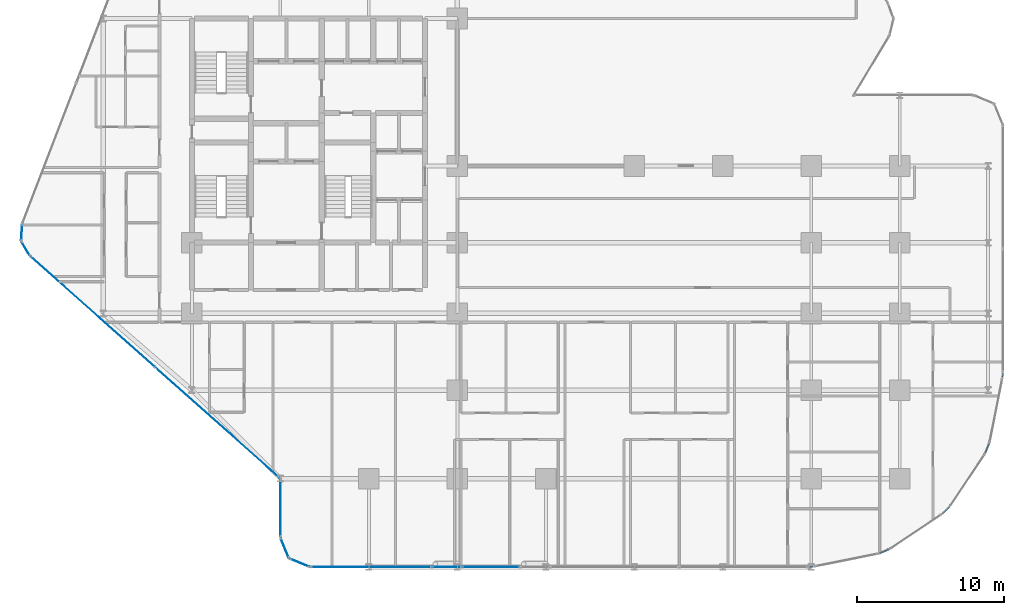
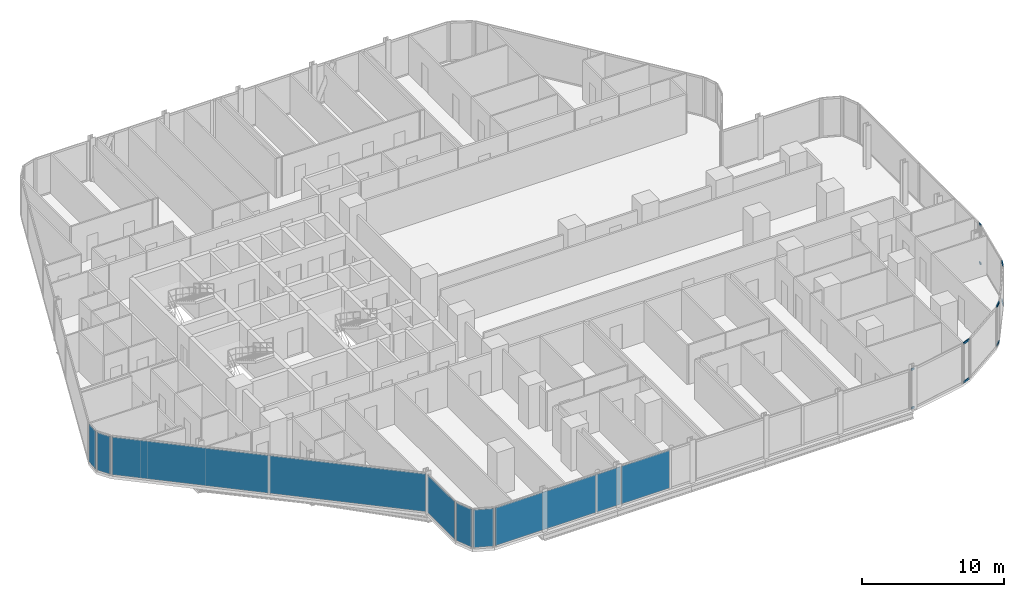
# One storey, part 20 of 33: 10 members, 10 plates, 14 elements without a shape of their own.
"""IFC4 building model written with IfcOpenShell, lengths in metres."""

import ifcopenshell
import ifcopenshell.guid

model = None  # the IFC model being written
_history = None  # IfcOwnerHistory: only IFC2X3 demands one
_inside = {}  # id of a spatial element -> (the spatial element, [elements in it])
_under = {}  # id of a project, library or spatial element -> (it, [spatial elements below it])
_declared = {}  # id of a project -> (the project, [libraries it declares])
_typed = {}  # id of a type object -> (the type object, [elements of that type])
_made_of = {}  # id of a material, layer set ... -> (it, [elements and type objects made of it])


def new_model(schema):
    """Start an empty IFC model of exactly this schema.

    Asked for "IFC4X3", IfcOpenShell would pick the latest addendum, in which some entities
    have other attributes; the version numbers below select the first issue.
    IFC2X3 requires an IfcOwnerHistory on every rooted entity: one is made here for all.
    """
    global model, _history
    if schema == "IFC4X3":
        model = ifcopenshell.file(schema_version=(4, 3, 0, 0))
    else:
        model = ifcopenshell.file(schema=schema)
    _inside.clear()
    _under.clear()
    _declared.clear()
    _typed.clear()
    _made_of.clear()
    _history = None
    if model.schema == "IFC2X3":
        org = make("IfcOrganization", Name="unknown")
        user = make(
            "IfcPersonAndOrganization",
            ThePerson=make("IfcPerson", FamilyName="unknown"),
            TheOrganization=org,
        )
        app = make(
            "IfcApplication",
            ApplicationDeveloper=org,
            Version="unknown",
            ApplicationFullName="unknown",
            ApplicationIdentifier="unknown",
        )
        _history = make(
            "IfcOwnerHistory",
            OwningUser=user,
            OwningApplication=app,
            ChangeAction="ADDED",
            CreationDate=0,
        )
    return model


def make(cls, **values):
    """One entity of the class cls with the attributes given. An attribute that is None is left unset."""
    return model.create_entity(
        cls, **{name: value for name, value in values.items() if value is not None}
    )


def rooted(cls, **values):
    """An entity with a GlobalId (a new one), such as an element, a storey or a relation."""
    return make(cls, GlobalId=ifcopenshell.guid.new(), OwnerHistory=_history, **values)


def si_unit(unit_type, name, prefix=None):
    """IfcSIUnit, for example si_unit("LENGTHUNIT", "METRE", prefix="MILLI")."""
    return make("IfcSIUnit", UnitType=unit_type, Prefix=prefix, Name=name)


def assignment(units):
    """IfcUnitAssignment: the units of a project."""
    return None if units is None else make("IfcUnitAssignment", Units=units)


def point(xyz):
    """IfcCartesianPoint."""
    return None if xyz is None else make("IfcCartesianPoint", Coordinates=xyz)


def direction(xyz):
    """IfcDirection."""
    return None if xyz is None else make("IfcDirection", DirectionRatios=xyz)


def frame(location, z_axis=None, x_axis=None):
    """IfcAxis2Placement3D, a coordinate frame: its origin and axes. An axis left out is left unset."""
    return make(
        "IfcAxis2Placement3D",
        Location=point(location),
        Axis=direction(z_axis),
        RefDirection=direction(x_axis),
    )


def frame_2d(location, x_axis=None):
    """IfcAxis2Placement2D, a coordinate frame in the plane: its origin and x axis."""
    return make(
        "IfcAxis2Placement2D", Location=point(location), RefDirection=direction(x_axis)
    )


def origin():
    """The frame at (0, 0, 0) with its axes left unset."""
    return frame((0.0, 0.0, 0.0))


def origin_2d():
    """The frame at (0, 0) in the plane with its x axis left unset."""
    return frame_2d((0.0, 0.0))


def place(relative_to, where):
    """IfcLocalPlacement: puts the frame where relative to a parent placement (None: the world)."""
    return make(
        "IfcLocalPlacement", PlacementRelTo=relative_to, RelativePlacement=where
    )


def context(
    kind, dimensions, precision=None, world=None, true_north=None, identifier=None
):
    """IfcGeometricRepresentationContext, for example the 3D "Model" context."""
    return make(
        "IfcGeometricRepresentationContext",
        ContextIdentifier=identifier,
        ContextType=kind,
        CoordinateSpaceDimension=dimensions,
        Precision=precision,
        WorldCoordinateSystem=world,
        TrueNorth=true_north,
    )


def subcontext(parent, identifier, kind, view, scale=None):
    """IfcGeometricRepresentationSubContext, for example "Body" below "Model"."""
    return make(
        "IfcGeometricRepresentationSubContext",
        ContextIdentifier=identifier,
        ContextType=kind,
        ParentContext=parent,
        TargetScale=scale,
        TargetView=view,
    )


def project(units=None, contexts=None):
    """IfcProject with its units and contexts."""
    return rooted(
        "IfcProject",
        Name="project",
        RepresentationContexts=contexts,
        UnitsInContext=assignment(units),
    )


def spatial(cls, under=None, at=None, **own):
    """A site, building, storey or space (cls), placed at a placement, below another one or the project."""
    s = rooted(cls, ObjectPlacement=at, **own)
    if under is not None:
        _under.setdefault(under.id(), (under, []))[1].append(s)
    return s


def profile(cls, at=None, kind="AREA", **sizes):
    """A parametric profile (cls). Its sizes go by their IFC names, for example OverallWidth=200.0."""
    return make(cls, ProfileType=kind, Position=at, **sizes)


def rectangle(**sizes):
    """IfcRectangleProfileDef."""
    return profile("IfcRectangleProfileDef", **sizes)


def hollow_rectangle(**sizes):
    """IfcRectangleHollowProfileDef."""
    return profile("IfcRectangleHollowProfileDef", **sizes)


def extrude(swept, where, along, depth):
    """IfcExtrudedAreaSolid: the profile swept, set in the frame where, extruded along a direction by depth."""
    return make(
        "IfcExtrudedAreaSolid",
        SweptArea=swept,
        Position=where,
        ExtrudedDirection=direction(along),
        Depth=depth,
    )


def shape(context_of_items, identifier, shape_type, items):
    """IfcShapeRepresentation: the items that make up one representation, for example the "Body"."""
    return make(
        "IfcShapeRepresentation",
        ContextOfItems=context_of_items,
        RepresentationIdentifier=identifier,
        RepresentationType=shape_type,
        Items=items,
    )


def material(Name=None, Category=None):
    """IfcMaterial."""
    return make("IfcMaterial", Name=Name, Category=Category)


def layer(
    of_material, thickness, ventilated=None, Name=None, Category=None, Priority=None
):
    """IfcMaterialLayer: one layer of a wall or slab, of a material (None: an air gap)."""
    return make(
        "IfcMaterialLayer",
        Material=of_material,
        LayerThickness=thickness,
        IsVentilated=ventilated,
        Name=Name,
        Category=Category,
        Priority=Priority,
    )


def layer_set(layers, Name=None):
    """IfcMaterialLayerSet."""
    return make("IfcMaterialLayerSet", MaterialLayers=layers, LayerSetName=Name)


def material_profile(
    of_material, cross_section, Name=None, Category=None, Priority=None
):
    """IfcMaterialProfile: a cross section and its material."""
    return make(
        "IfcMaterialProfile",
        Name=Name,
        Material=of_material,
        Profile=cross_section,
        Priority=Priority,
        Category=Category,
    )


def profile_set(profiles, Name=None, composite=None):
    """IfcMaterialProfileSet."""
    return make(
        "IfcMaterialProfileSet",
        Name=Name,
        MaterialProfiles=profiles,
        CompositeProfile=composite,
    )


def made_of(thing, what):
    """Note that an element or type object is made of a material, layer set ...; save() writes the relation."""
    if what is not None:
        _made_of.setdefault(what.id(), (what, []))[1].append(thing)
    return thing


def type_object(cls, material=None, **own):
    """A type object (cls), such as IfcWallType, which elements share."""
    return made_of(rooted(cls, **own), material)


def element(
    cls,
    number,
    at=None,
    inside=None,
    cuts=None,
    type_object=None,
    material=None,
    context=None,
    identifier="Body",
    shape_type=None,
    held_by="IfcProductDefinitionShape",
    body=None,
    shapes=None,
    **own,
):
    """One element of the class cls, such as IfcWall. Its Tag is "e" and its number.

    at: its placement. inside: the storey or other place that contains it. cuts: it is an
    opening in that element (IfcRelVoidsElement). A single representation is given by context,
    identifier, shape_type and body (its items); several are given by shapes. held_by: the class
    of the entity that holds the representations. save() writes the other relations.
    """
    e = rooted(cls, Tag="e%d" % number, ObjectPlacement=at, **own)
    if body is not None:
        shapes = [shape(context, identifier, shape_type, body)]
    if shapes is not None:
        e.Representation = make(held_by, Representations=shapes)
    if inside is not None:
        _inside.setdefault(inside.id(), (inside, []))[1].append(e)
    if cuts is not None:
        rooted(
            "IfcRelVoidsElement", RelatingBuildingElement=cuts, RelatedOpeningElement=e
        )
    if type_object is not None:
        _typed.setdefault(type_object.id(), (type_object, []))[1].append(e)
    return made_of(e, material)


def aggregate(whole, parts):
    """IfcRelAggregates: a whole, such as a stair, and the parts it consists of."""
    return rooted("IfcRelAggregates", RelatingObject=whole, RelatedObjects=parts)


def save(model, path):
    """Write the relations noted so far, then the file.

    IfcRelAggregates (storeys below a building ...), IfcRelContainedInSpatialStructure (elements
    in a storey), IfcRelDefinesByType, IfcRelAssociatesMaterial and IfcRelDeclares: one each for
    every whole, place, type object, material and project.
    """
    for whole, parts in _under.values():
        aggregate(whole, parts)
    for where, things in _inside.values():
        rooted(
            "IfcRelContainedInSpatialStructure",
            RelatedElements=things,
            RelatingStructure=where,
        )
    for kind, things in _typed.values():
        rooted("IfcRelDefinesByType", RelatedObjects=things, RelatingType=kind)
    for what, things in _made_of.values():
        rooted("IfcRelAssociatesMaterial", RelatedObjects=things, RelatingMaterial=what)
    for by, libraries in _declared.values():
        rooted("IfcRelDeclares", RelatingContext=by, RelatedDefinitions=libraries)
    model.write(path)


model = new_model("IFC4")

# Units and contexts
model_context = context("Model", 3, precision=1e-05, world=origin(), true_north=direction((0.0, 1.0)))
body_context = subcontext(model_context, "Body", "Model", "MODEL_VIEW")
ifc_project = project(units=[si_unit("LENGTHUNIT", "METRE"), si_unit("AREAUNIT", "SQUARE_METRE"), si_unit("VOLUMEUNIT", "CUBIC_METRE"), si_unit("PLANEANGLEUNIT", "RADIAN"), si_unit("MASSUNIT", "GRAM", prefix="KILO")], contexts=[model_context])

# Site, building, storey
site_placement = place(None, origin())
site = spatial("IfcSite", under=ifc_project, at=site_placement, CompositionType="ELEMENT")
building_placement = place(site_placement, origin())
building = spatial("IfcBuilding", under=site, at=building_placement, Name="Keshet Zoharim Tower", CompositionType="ELEMENT")
storey_placement = place(building_placement, frame((0.0, 0.0, 49.89990234375)))
storey = spatial("IfcBuildingStorey", under=building, at=storey_placement, Name="L11", CompositionType="ELEMENT", Elevation=49.89990234375)

# Curtain wall, members
ifc_material_1 = material(Name="Aluminium 6063-T6", Category="aluminium")
ifc_layer_1 = layer(ifc_material_1, 0.169921875)
ifc_layer_set_1 = layer_set([ifc_layer_1], Name="Aluminium 6063-T6")
curtain_wall_type_1 = type_object("IfcCurtainWallType", Name="CW-SYS-02", PredefinedType="NOTDEFINED", material=ifc_layer_set_1)
curtain_wall_1_placement = place(storey_placement, origin())
curtain_wall_1 = element("IfcCurtainWall", 1, at=curtain_wall_1_placement, inside=storey, type_object=curtain_wall_type_1, Name="L11 Unitised Curtain Wall 17", PredefinedType="NOTDEFINED")
ifc_material_profile = material_profile(ifc_material_1, hollow_rectangle(XDim=0.0849609375, YDim=0.159912109375, WallThickness=0.00439453125, at=origin_2d()), Name="TRN-85x160")
ifc_profile_set = profile_set([ifc_material_profile], Name="Aluminium 6063-T6")
member_type = type_object("IfcMemberType", Name="CWT-T16", PredefinedType="USERDEFINED", material=ifc_profile_set)
member_1_placement = place(storey_placement, frame((69.9931640625, 13.827392578125, 0.03515625), z_axis=(-0.096912647607, -0.995292890929, 0.0), x_axis=(0.995292890929, -0.096912647607, 0.0)))
member_1 = element("IfcMember", 2, at=member_1_placement, type_object=member_type, Name="CW-02 transom 1.1", ObjectType="TRANSOM", PredefinedType="USERDEFINED", context=body_context, shape_type="SweptSolid", body=[
    extrude(hollow_rectangle(XDim=0.0849609375, YDim=0.159912109375, WallThickness=0.00439453125, at=origin_2d()), origin(), (0.0, 0.0, 1.0), 0.251953125),
])
member_2_placement = place(storey_placement, frame((69.9931640625, 13.827392578125, 3.35009765625), z_axis=(-0.096912647607, -0.995292890929, 0.0), x_axis=(0.995292890929, -0.096912647607, 0.0)))
member_2 = element("IfcMember", 3, at=member_2_placement, type_object=member_type, Name="CW-02 transom 1.2", ObjectType="TRANSOM", PredefinedType="USERDEFINED", context=body_context, shape_type="SweptSolid", body=[
    extrude(hollow_rectangle(XDim=0.0849609375, YDim=0.159912109375, WallThickness=0.00439453125, at=origin_2d()), origin(), (0.0, 0.0, 1.0), 0.251953125),
])
aggregate(curtain_wall_1, [member_1, member_2])

ifc_layer_2 = layer(ifc_material_1, 0.179931640625)
ifc_layer_set_2 = layer_set([ifc_layer_2], Name="Aluminium 6063-T6")
curtain_wall_type_2 = type_object("IfcCurtainWallType", Name="CW-SYS-01", PredefinedType="NOTDEFINED", material=ifc_layer_set_2)
curtain_wall_2_placement = place(storey_placement, origin())
curtain_wall_2 = element("IfcCurtainWall", 4, at=curtain_wall_2_placement, inside=storey, type_object=curtain_wall_type_2, Name="L11 Unitised Curtain Wall 19", PredefinedType="NOTDEFINED")
member_3_placement = place(storey_placement, frame((69.061279296875, 9.05029296875, 0.03515625), z_axis=(-0.383126096215, -0.923696050874, 0.0), x_axis=(0.923696050874, -0.383126096215, 0.0)))
member_3 = element("IfcMember", 5, at=member_3_placement, type_object=member_type, Name="CW-01 transom 1.1", ObjectType="TRANSOM", PredefinedType="USERDEFINED", context=body_context, shape_type="SweptSolid", body=[
    extrude(hollow_rectangle(XDim=0.0849609375, YDim=0.159912109375, WallThickness=0.00439453125, at=origin_2d()), origin(), (0.0, 0.0, 1.0), 0.640380859375),
])
member_4_placement = place(storey_placement, frame((69.061279296875, 9.05029296875, 3.35009765625), z_axis=(-0.383126096215, -0.923696050874, 0.0), x_axis=(0.923696050874, -0.383126096215, 0.0)))
member_4 = element("IfcMember", 6, at=member_4_placement, type_object=member_type, Name="CW-01 transom 1.2", ObjectType="TRANSOM", PredefinedType="USERDEFINED", context=body_context, shape_type="SweptSolid", body=[
    extrude(hollow_rectangle(XDim=0.0849609375, YDim=0.159912109375, WallThickness=0.00439453125, at=origin_2d()), origin(), (0.0, 0.0, 1.0), 0.640380859375),
])
aggregate(curtain_wall_2, [member_3, member_4])

curtain_wall_3_placement = place(storey_placement, origin())
curtain_wall_3 = element("IfcCurtainWall", 7, at=curtain_wall_3_placement, inside=storey, type_object=curtain_wall_type_2, Name="L11 Unitised Curtain Wall 21", PredefinedType="NOTDEFINED")
member_5_placement = place(storey_placement, frame((66.363525390625, 4.78857421875, 0.03515625), z_axis=(-0.707106781187, -0.707106781187, 0.0), x_axis=(0.707106781187, -0.707106781187, 0.0)))
member_5 = element("IfcMember", 8, at=member_5_placement, type_object=member_type, Name="CW-01 transom 1.1", ObjectType="TRANSOM", PredefinedType="USERDEFINED", context=body_context, shape_type="SweptSolid", body=[
    extrude(hollow_rectangle(XDim=0.0849609375, YDim=0.159912109375, WallThickness=0.00439453125, at=origin_2d()), origin(), (0.0, 0.0, 1.0), 0.639404296875),
])
member_6_placement = place(storey_placement, frame((66.363525390625, 4.78857421875, 3.35009765625), z_axis=(-0.707106781187, -0.707106781187, 0.0), x_axis=(0.707106781187, -0.707106781187, 0.0)))
member_6 = element("IfcMember", 9, at=member_6_placement, type_object=member_type, Name="CW-01 transom 1.2", ObjectType="TRANSOM", PredefinedType="USERDEFINED", context=body_context, shape_type="SweptSolid", body=[
    extrude(hollow_rectangle(XDim=0.0849609375, YDim=0.159912109375, WallThickness=0.00439453125, at=origin_2d()), origin(), (0.0, 0.0, 1.0), 0.639404296875),
])
aggregate(curtain_wall_3, [member_5, member_6])

curtain_wall_4_placement = place(storey_placement, origin())
curtain_wall_4 = element("IfcCurtainWall", 10, at=curtain_wall_4_placement, inside=storey, type_object=curtain_wall_type_2, Name="L11 Unitised Curtain Wall 23", PredefinedType="NOTDEFINED")
member_7_placement = place(storey_placement, frame((62.241455078125, 1.88427734375, 0.03515625), z_axis=(-0.923751978938, -0.382991228891, 0.0), x_axis=(0.382991228891, -0.923751978938, 0.0)))
member_7 = element("IfcMember", 11, at=member_7_placement, type_object=member_type, Name="CW-01 transom 1.1", ObjectType="TRANSOM", PredefinedType="USERDEFINED", context=body_context, shape_type="SweptSolid", body=[
    extrude(hollow_rectangle(XDim=0.0849609375, YDim=0.159912109375, WallThickness=0.00439453125, at=origin_2d()), origin(), (0.0, 0.0, 1.0), 0.640625),
])
member_8_placement = place(storey_placement, frame((62.241455078125, 1.88427734375, 3.35009765625), z_axis=(-0.923751978938, -0.382991228891, 0.0), x_axis=(0.382991228891, -0.923751978938, 0.0)))
member_8 = element("IfcMember", 12, at=member_8_placement, type_object=member_type, Name="CW-01 transom 1.2", ObjectType="TRANSOM", PredefinedType="USERDEFINED", context=body_context, shape_type="SweptSolid", body=[
    extrude(hollow_rectangle(XDim=0.0849609375, YDim=0.159912109375, WallThickness=0.00439453125, at=origin_2d()), origin(), (0.0, 0.0, 1.0), 0.640625),
])
aggregate(curtain_wall_4, [member_7, member_8])

curtain_wall_5_placement = place(storey_placement, origin())
curtain_wall_5 = element("IfcCurtainWall", 13, at=curtain_wall_5_placement, inside=storey, type_object=curtain_wall_type_2, Name="L11 Unitised Curtain Wall 25", PredefinedType="NOTDEFINED")
member_9_placement = place(storey_placement, frame((57.123291015625, 0.731201171875, 0.03515625), z_axis=(-0.995292890929, -0.096912647607, 0.0), x_axis=(0.096912647607, -0.995292890929, 0.0)))
member_9 = element("IfcMember", 14, at=member_9_placement, type_object=member_type, Name="CW-01 transom 1.1", ObjectType="TRANSOM", PredefinedType="USERDEFINED", context=body_context, shape_type="SweptSolid", body=[
    extrude(hollow_rectangle(XDim=0.0849609375, YDim=0.159912109375, WallThickness=0.00439453125, at=origin_2d()), origin(), (0.0, 0.0, 1.0), 0.251953125),
])
member_10_placement = place(storey_placement, frame((57.123291015625, 0.731201171875, 3.35009765625), z_axis=(-0.995292890929, -0.096912647607, 0.0), x_axis=(0.096912647607, -0.995292890929, 0.0)))
member_10 = element("IfcMember", 15, at=member_10_placement, type_object=member_type, Name="CW-01 transom 1.2", ObjectType="TRANSOM", PredefinedType="USERDEFINED", context=body_context, shape_type="SweptSolid", body=[
    extrude(hollow_rectangle(XDim=0.0849609375, YDim=0.159912109375, WallThickness=0.00439453125, at=origin_2d()), origin(), (0.0, 0.0, 1.0), 0.251953125),
])
aggregate(curtain_wall_5, [member_9, member_10])

# Curtain wall, plates
curtain_wall_6_placement = place(storey_placement, origin())
curtain_wall_6 = element("IfcCurtainWall", 16, at=curtain_wall_6_placement, inside=storey, type_object=curtain_wall_type_2, Name="L11 Unitised Curtain Wall 01", PredefinedType="NOTDEFINED")
ifc_material_2 = material(Name="Insulated Low-E Clear Glass", Category="glass")
ifc_layer_3 = layer(ifc_material_2, 0.035888671875)
ifc_layer_set_3 = layer_set([ifc_layer_3], Name="Insulated Low-E Clear Glass")
plate_type_1 = type_object("IfcPlateType", Name="CWP-01", PredefinedType="CURTAIN_PANEL", material=ifc_layer_set_3)
plate_1_placement = place(storey_placement, frame((16.74560546875, 10.481689453125, 0.070068359375), z_axis=(0.0, 0.0, 1.0), x_axis=(-0.747409318679, 0.664363838836, 0.0)))
plate_1 = element("IfcPlate", 17, at=plate_1_placement, type_object=plate_type_1, Name="CW-01 panel 1.1", PredefinedType="CURTAIN_PANEL", context=body_context, shape_type="SweptSolid", body=[
    extrude(rectangle(XDim=11.244140625, YDim=0.035888671875, at=origin_2d()), origin(), (0.0, 0.0, 1.0), 3.2451171875),
])
plate_2_placement = place(storey_placement, frame((8.289306640625, 17.998291015625, 0.070068359375), z_axis=(0.0, 0.0, 1.0), x_axis=(-0.747409318679, 0.664363838836, 0.0)))
plate_2 = element("IfcPlate", 18, at=plate_2_placement, type_object=plate_type_1, Name="CW-01 panel 2.1", PredefinedType="CURTAIN_PANEL", context=body_context, shape_type="SweptSolid", body=[
    extrude(rectangle(XDim=11.244140625, YDim=0.035888671875, at=origin_2d()), origin(), (0.0, 0.0, 1.0), 3.2451171875),
])
aggregate(curtain_wall_6, [plate_1, plate_2])

# Curtain wall, plate
curtain_wall_7_placement = place(storey_placement, origin())
curtain_wall_7 = element("IfcCurtainWall", 19, at=curtain_wall_7_placement, inside=storey, type_object=curtain_wall_type_2, Name="L11 Unitised Curtain Wall 02", PredefinedType="NOTDEFINED")
plate_3_placement = place(storey_placement, frame((3.7275390625, 22.291015625, 0.070068359375), z_axis=(0.0, 0.0, 1.0), x_axis=(-0.515604947933, 0.856826433805, 0.0)))
plate_3 = element("IfcPlate", 20, at=plate_3_placement, type_object=plate_type_1, Name="CW-01 panel 1.1", PredefinedType="CURTAIN_PANEL", context=body_context, shape_type="SweptSolid", body=[
    extrude(rectangle(XDim=1.052734375, YDim=0.035888671875, at=origin_2d()), origin(), (0.0, 0.0, 1.0), 3.2451171875),
])
aggregate(curtain_wall_7, [plate_3])

curtain_wall_8_placement = place(storey_placement, origin())
curtain_wall_8 = element("IfcCurtainWall", 21, at=curtain_wall_8_placement, inside=storey, type_object=curtain_wall_type_2, Name="L11 Unitised Curtain Wall 03", PredefinedType="NOTDEFINED")
plate_4_placement = place(storey_placement, frame((3.45849609375, 23.3974609375, 0.070068359375), z_axis=(0.0, 0.0, 1.0), x_axis=(0.064516859374, 0.997916617186, 0.0)))
plate_4 = element("IfcPlate", 22, at=plate_4_placement, type_object=plate_type_1, Name="CW-01 panel 1.1", PredefinedType="CURTAIN_PANEL", context=body_context, shape_type="SweptSolid", body=[
    extrude(rectangle(XDim=1.053466796875, YDim=0.035888671875, at=origin_2d()), origin(), (0.0, 0.0, 1.0), 3.2451171875),
])
aggregate(curtain_wall_8, [plate_4])

curtain_wall_9_placement = place(storey_placement, origin())
curtain_wall_9 = element("IfcCurtainWall", 23, at=curtain_wall_9_placement, inside=storey, type_object=curtain_wall_type_2, Name="L11 Unitised Curtain Wall 26 Part 3", PredefinedType="NOTDEFINED")
plate_5_placement = place(storey_placement, frame((35.284912109375, 0.699951171875, 0.070068359375), z_axis=(0.0, 0.0, 1.0), x_axis=(-1.0, 0.0, 0.0)))
plate_5 = element("IfcPlate", 24, at=plate_5_placement, type_object=plate_type_1, Name="CW-01 panel 1.1", PredefinedType="CURTAIN_PANEL", context=body_context, shape_type="SweptSolid", body=[
    extrude(rectangle(XDim=3.90478515625, YDim=0.035888671875, at=origin_2d()), origin(), (0.0, 0.0, 1.0), 3.2451171875),
])
aggregate(curtain_wall_9, [plate_5])

curtain_wall_10_placement = place(storey_placement, origin())
curtain_wall_10 = element("IfcCurtainWall", 25, at=curtain_wall_10_placement, inside=storey, type_object=curtain_wall_type_2, Name="L11 Unitised Curtain Wall 26 Part 5", PredefinedType="NOTDEFINED")
plate_6_placement = place(storey_placement, frame((27.15380859375, 0.699951171875, 0.070068359375), z_axis=(0.0, 0.0, 1.0), x_axis=(-1.0, 0.0, 0.0)))
plate_6 = element("IfcPlate", 26, at=plate_6_placement, type_object=plate_type_1, Name="CW-01 panel 1.1", PredefinedType="CURTAIN_PANEL", context=body_context, shape_type="SweptSolid", body=[
    extrude(rectangle(XDim=8.16748046875, YDim=0.035888671875, at=origin_2d()), origin(), (0.0, 0.0, 1.0), 3.2451171875),
])
aggregate(curtain_wall_10, [plate_6])

curtain_wall_11_placement = place(storey_placement, origin())
curtain_wall_11 = element("IfcCurtainWall", 27, at=curtain_wall_11_placement, inside=storey, type_object=curtain_wall_type_2, Name="L11 Unitised Curtain Wall 27", PredefinedType="NOTDEFINED")
plate_7_placement = place(storey_placement, frame((22.29296875, 0.992919921875, 0.070068359375), z_axis=(0.0, 0.0, 1.0), x_axis=(-0.92380975372, 0.382851849847, 0.0)))
plate_7 = element("IfcPlate", 28, at=plate_7_placement, type_object=plate_type_1, Name="CW-01 panel 1.1", PredefinedType="CURTAIN_PANEL", context=body_context, shape_type="SweptSolid", body=[
    extrude(rectangle(XDim=1.390625, YDim=0.035888671875, at=origin_2d()), origin(), (0.0, 0.0, 1.0), 3.2451171875),
])
aggregate(curtain_wall_11, [plate_7])

curtain_wall_12_placement = place(storey_placement, origin())
curtain_wall_12 = element("IfcCurtainWall", 29, at=curtain_wall_12_placement, inside=storey, type_object=curtain_wall_type_2, Name="L11 Unitised Curtain Wall 28", PredefinedType="NOTDEFINED")
plate_8_placement = place(storey_placement, frame((21.29296875, 1.992919921875, 0.070068359375), z_axis=(0.0, 0.0, 1.0), x_axis=(-0.382851849847, 0.92380975372, 0.0)))
plate_8 = element("IfcPlate", 30, at=plate_8_placement, type_object=plate_type_1, Name="CW-01 panel 1.1", PredefinedType="CURTAIN_PANEL", context=body_context, shape_type="SweptSolid", body=[
    extrude(rectangle(XDim=1.390625, YDim=0.035888671875, at=origin_2d()), origin(), (0.0, 0.0, 1.0), 3.2451171875),
])
aggregate(curtain_wall_12, [plate_8])

curtain_wall_13_placement = place(storey_placement, origin())
curtain_wall_13 = element("IfcCurtainWall", 31, at=curtain_wall_13_placement, inside=storey, type_object=curtain_wall_type_2, Name="L11 Unitised Curtain Wall 29", PredefinedType="NOTDEFINED")
plate_9_placement = place(storey_placement, frame((21.0, 4.699951171875, 0.070068359375), z_axis=(0.0, 0.0, 1.0), x_axis=(0.0, 1.0, 0.0)))
plate_9 = element("IfcPlate", 32, at=plate_9_placement, type_object=plate_type_1, Name="CW-01 panel 1.1", PredefinedType="CURTAIN_PANEL", context=body_context, shape_type="SweptSolid", body=[
    extrude(rectangle(XDim=3.860107421875, YDim=0.035888671875, at=origin_2d()), origin(), (0.0, 0.0, 1.0), 3.2451171875),
])
aggregate(curtain_wall_13, [plate_9])

curtain_wall_14_placement = place(storey_placement, origin())
curtain_wall_14 = element("IfcCurtainWall", 33, at=curtain_wall_14_placement, inside=storey, type_object=curtain_wall_type_2, Name="L11 Unitised Curtain Wall 26 Part 4", PredefinedType="NOTDEFINED")
ifc_material_3 = material(Name="Insulated Aluminium Spandrel Panel", Category="aluminium")
ifc_layer_4 = layer(ifc_material_3, 0.035888671875)
ifc_layer_set_4 = layer_set([ifc_layer_4], Name="Insulated Aluminium Spandrel Panel")
plate_type_2 = type_object("IfcPlateType", Name="CWP-04", PredefinedType="CURTAIN_PANEL", material=ifc_layer_set_4)
plate_10_placement = place(storey_placement, frame((32.284912109375, 0.699951171875, 0.070068359375), z_axis=(0.0, 0.0, 1.0), x_axis=(-1.0, 0.0, 0.0)))
plate_10 = element("IfcPlate", 34, at=plate_10_placement, type_object=plate_type_2, Name="CW-01 spandrel panel 1.1", PredefinedType="CURTAIN_PANEL", context=body_context, shape_type="SweptSolid", body=[
    extrude(rectangle(XDim=1.955078125, YDim=0.035888671875, at=origin_2d()), origin(), (0.0, 0.0, 1.0), 3.2451171875),
])
aggregate(curtain_wall_14, [plate_10])

save(model, "model.ifc")
